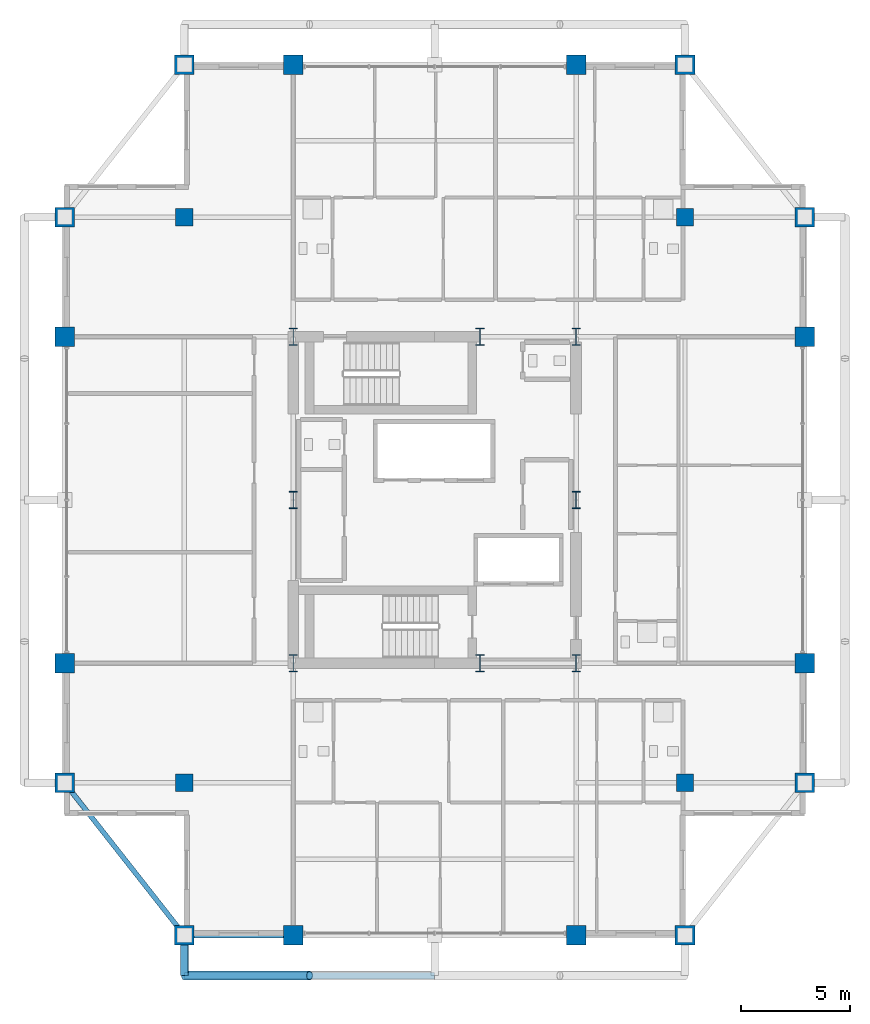
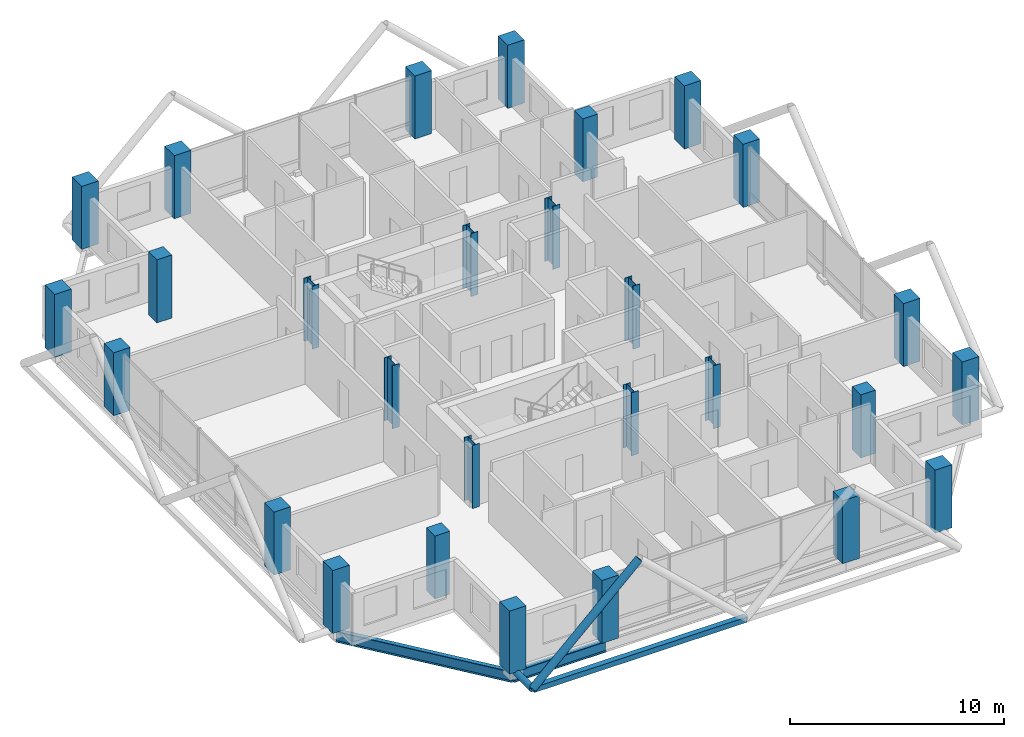
# One storey, part 1 of 24: 28 columns, 3 members, 2 beams.
"""IFC4 building model written with IfcOpenShell, lengths in metres."""

from ifc_helpers import new_model, si_unit, direction, frame, origin, origin_2d, place, context, subcontext, project, spatial, rectangle, hollow_rectangle, hollow_circle, i_section, extrude, material, material_profile, profile_set, type_object, element, save


model = new_model("IFC4")

# Units and contexts
model_context = context("Model", 3, precision=1e-05, world=origin(), true_north=direction((0.0, 1.0)))
body_context = subcontext(model_context, "Body", "Model", "MODEL_VIEW")
ifc_project = project(units=[si_unit("LENGTHUNIT", "METRE"), si_unit("AREAUNIT", "SQUARE_METRE"), si_unit("VOLUMEUNIT", "CUBIC_METRE"), si_unit("PLANEANGLEUNIT", "RADIAN"), si_unit("MASSUNIT", "GRAM", prefix="KILO")], contexts=[model_context])

# Site, building, storey
site_placement = place(None, origin())
site = spatial("IfcSite", under=ifc_project, at=site_placement, CompositionType="ELEMENT")
building_placement = place(site_placement, origin())
building = spatial("IfcBuilding", under=site, at=building_placement, Name="Barlavira Tower and Art Museum", CompositionType="ELEMENT")
storey_placement = place(building_placement, frame((0.0, 0.0, 240.300048828125)))
storey = spatial("IfcBuildingStorey", under=building, at=storey_placement, Name="L62", CompositionType="ELEMENT", Elevation=240.300048828125)

# Columns
ifc_material_1 = material(Name="Steel S355", Category="steel")
ifc_material_profile_1 = material_profile(ifc_material_1, i_section(OverallWidth=0.382080078125, OverallDepth=0.785888671875, WebThickness=0.02001953125, FlangeThickness=0.032958984375, at=origin_2d()), Name="W760x314.0")
ifc_profile_set_1 = profile_set([ifc_material_profile_1], Name="Steel S355")
column_type_1 = type_object("IfcColumnType", Name="Core Composite Column W760x314 Steel S355", PredefinedType="COLUMN", material=ifc_profile_set_1)
for number, where, z_axis, x_axis, name in (
    (1, (-6.5, -7.5, 0.0), (0.0, 0.0, 1.0), (1.0, 0.0, 0.0), "L62 Column CC-L62-C1"),
    (2, (2.080078125, -7.5, 0.0), (0.0, 0.0, 1.0), (1.0, 0.0, 0.0), "L62 Column CC-L62-C2"),
    (3, (6.5, -7.5, 0.0), (0.0, 0.0, 1.0), (1.0, 0.0, 0.0), "L62 Column CC-L62-C3"),
    (4, (-6.5, 0.0, 0.0), (0.0, 0.0, 1.0), (1.0, 0.0, 0.0), "L62 Column CC-L62-C4"),
    (5, (6.5, 0.0, 0.0), (0.0, 0.0, 1.0), (1.0, 0.0, 0.0), "L62 Column CC-L62-C5"),
    (6, (-6.5, 7.5, 0.0), (0.0, 0.0, 1.0), (1.0, 0.0, 0.0), "L62 Column CC-L62-C6"),
    (7, (2.080078125, 7.5, 0.0), (0.0, 0.0, 1.0), (1.0, 0.0, 0.0), "L62 Column CC-L62-C7"),
    (8, (6.5, 7.5, 0.0), (0.0, 0.0, 1.0), (1.0, 0.0, 0.0), "L62 Column CC-L62-C8"),
):
    element("IfcColumn", number, at=place(storey_placement, frame(where, z_axis=z_axis, x_axis=x_axis)), inside=storey, type_object=column_type_1, Name=name, PredefinedType="COLUMN", context=body_context, shape_type="SweptSolid", body=[
        extrude(i_section(OverallWidth=0.382080078125, OverallDepth=0.785888671875, WebThickness=0.02001953125, FlangeThickness=0.032958984375, at=origin_2d()), origin(), (0.0, 0.0, 1.0), 3.599853515625),
    ])
ifc_material_2 = material(Name="Concrete C50", Category="concrete")
ifc_material_profile_2 = material_profile(ifc_material_2, rectangle(XDim=0.89990234375, YDim=0.89990234375, at=origin_2d()), Name="RC-COL 900x900")
ifc_profile_set_2 = profile_set([ifc_material_profile_2], Name="Concrete C50")
column_type_2 = type_object("IfcColumnType", Name="Perimeter Mega Column 900x900 Concrete C50", PredefinedType="USERDEFINED", material=ifc_profile_set_2)
for number, where, z_axis, x_axis, name in (
    (9, (-11.5, -20.0, 0.0), (0.0, 0.0, 1.0), (1.0, 0.0, 0.0), "L62 Column MC-L62-M01"),
    (10, (-6.5, -20.0, 0.0), (0.0, 0.0, 1.0), (1.0, 0.0, 0.0), "L62 Column MC-L62-M02"),
    (11, (6.5, -20.0, 0.0), (0.0, 0.0, 1.0), (1.0, 0.0, 0.0), "L62 Column MC-L62-M03"),
    (12, (11.5, -20.0, 0.0), (0.0, 0.0, 1.0), (1.0, 0.0, 0.0), "L62 Column MC-L62-M04"),
    (13, (17.0, -13.0, 0.0), (0.0, 0.0, 1.0), (1.0, 0.0, 0.0), "L62 Column MC-L62-M05"),
    (14, (17.0, -7.5, 0.0), (0.0, 0.0, 1.0), (1.0, 0.0, 0.0), "L62 Column MC-L62-M06"),
    (15, (17.0, 7.5, 0.0), (0.0, 0.0, 1.0), (1.0, 0.0, 0.0), "L62 Column MC-L62-M07"),
    (16, (17.0, 13.0, 0.0), (0.0, 0.0, 1.0), (1.0, 0.0, 0.0), "L62 Column MC-L62-M08"),
    (17, (11.5, 20.0, 0.0), (0.0, 0.0, 1.0), (1.0, 0.0, 0.0), "L62 Column MC-L62-M09"),
    (18, (6.5, 20.0, 0.0), (0.0, 0.0, 1.0), (1.0, 0.0, 0.0), "L62 Column MC-L62-M10"),
    (19, (-6.5, 20.0, 0.0), (0.0, 0.0, 1.0), (1.0, 0.0, 0.0), "L62 Column MC-L62-M11"),
    (20, (-11.5, 20.0, 0.0), (0.0, 0.0, 1.0), (1.0, 0.0, 0.0), "L62 Column MC-L62-M12"),
    (21, (-17.0, 13.0, 0.0), (0.0, 0.0, 1.0), (1.0, 0.0, 0.0), "L62 Column MC-L62-M13"),
    (22, (-17.0, 7.5, 0.0), (0.0, 0.0, 1.0), (1.0, 0.0, 0.0), "L62 Column MC-L62-M14"),
    (23, (-17.0, -7.5, 0.0), (0.0, 0.0, 1.0), (1.0, 0.0, 0.0), "L62 Column MC-L62-M15"),
    (24, (-17.0, -13.0, 0.0), (0.0, 0.0, 1.0), (1.0, 0.0, 0.0), "L62 Column MC-L62-M16"),
):
    element("IfcColumn", number, at=place(storey_placement, frame(where, z_axis=z_axis, x_axis=x_axis)), inside=storey, type_object=column_type_2, Name=name, ObjectType="MEGA COLUMN", PredefinedType="USERDEFINED", context=body_context, shape_type="SweptSolid", body=[
        extrude(rectangle(XDim=0.89990234375, YDim=0.89990234375, at=origin_2d()), origin(), (0.0, 0.0, 1.0), 3.599853515625),
    ])
ifc_material_profile_3 = material_profile(ifc_material_2, rectangle(XDim=0.800048828125, YDim=0.800048828125, at=origin_2d()), Name="RC-COL 800x800")
ifc_profile_set_3 = profile_set([ifc_material_profile_3], Name="Concrete C50")
column_type_3 = type_object("IfcColumnType", Name="Podium Frame Column 800x800 Concrete C50", PredefinedType="COLUMN", material=ifc_profile_set_3)
for number, where, z_axis, x_axis, name in (
    (25, (-11.5, -13.0, 0.0), (0.0, 0.0, 1.0), (1.0, 0.0, 0.0), "L62 Column CI-L62-I1"),
    (26, (11.5, -13.0, 0.0), (0.0, 0.0, 1.0), (1.0, 0.0, 0.0), "L62 Column CI-L62-I2"),
    (27, (-11.5, 13.0, 0.0), (0.0, 0.0, 1.0), (1.0, 0.0, 0.0), "L62 Column CI-L62-I3"),
    (28, (11.5, 13.0, 0.0), (0.0, 0.0, 1.0), (1.0, 0.0, 0.0), "L62 Column CI-L62-I4"),
):
    element("IfcColumn", number, at=place(storey_placement, frame(where, z_axis=z_axis, x_axis=x_axis)), inside=storey, type_object=column_type_3, Name=name, PredefinedType="COLUMN", context=body_context, shape_type="SweptSolid", body=[
        extrude(rectangle(XDim=0.800048828125, YDim=0.800048828125, at=origin_2d()), origin(), (0.0, 0.0, 1.0), 3.599853515625),
    ])

# Members
ifc_material_profile_4 = material_profile(ifc_material_1, hollow_circle(Radius=0.203125, WallThickness=0.01611328125, at=origin_2d()), Name="CHS 406.4x16.0")
ifc_profile_set_4 = profile_set([ifc_material_profile_4], Name="Steel S355")
member_type_1 = type_object("IfcMemberType", Name="Pale-Metal Exoskeleton Diagrid Tube CHS 406x16 Steel S355", PredefinedType="BRACE", material=ifc_profile_set_4)
member_1_placement = place(storey_placement, frame((-11.5, -21.85009765625, -0.1201171875), z_axis=(0.728934650808, 0.0, 0.684583285548), x_axis=(0.0, 1.0, 0.0)))
element("IfcMember", 29, at=member_1_placement, inside=storey, type_object=member_type_1, Name="L62 Exoskeleton Diagrid Tube S", PredefinedType="BRACE", context=body_context, shape_type="SweptSolid", body=[
    extrude(hollow_circle(Radius=0.203125, WallThickness=0.01611328125, at=origin_2d()), origin(), (0.0, 0.0, 1.0), 7.88818359375),
])
ifc_material_profile_5 = material_profile(ifc_material_1, hollow_circle(Radius=0.177734375, WallThickness=0.01611328125, at=origin_2d()), Name="CHS 355.6x16.0")
ifc_profile_set_5 = profile_set([ifc_material_profile_5], Name="Steel S355")
member_type_2 = type_object("IfcMemberType", Name="Pale-Metal Exoskeleton Tie Strut CHS 356x16 Steel S355", PredefinedType="STRUT", material=ifc_profile_set_5)
member_2_placement = place(storey_placement, frame((-11.5, -21.85009765625, -0.1201171875), z_axis=(0.0, 1.0, 0.0), x_axis=(-1.0, 0.0, 0.0)))
element("IfcMember", 30, at=member_2_placement, inside=storey, type_object=member_type_2, Name="L62 Exoskeleton Tie Strut S1", PredefinedType="STRUT", context=body_context, shape_type="SweptSolid", body=[
    extrude(hollow_circle(Radius=0.177734375, WallThickness=0.01611328125, at=origin_2d()), origin(), (0.0, 0.0, 1.0), 1.85009765625),
])
ifc_material_profile_6 = material_profile(ifc_material_1, hollow_rectangle(XDim=0.300048828125, YDim=0.300048828125, WallThickness=0.01611328125, at=origin_2d()), Name="SHS 300x300x16.0")
ifc_profile_set_6 = profile_set([ifc_material_profile_6], Name="Steel S355")
member_type_3 = type_object("IfcMemberType", Name="Pale-Metal Upper Ring Strut SHS 300x300x16 Steel S355", PredefinedType="STRUT", material=ifc_profile_set_6)
member_3_placement = place(storey_placement, frame((-11.5, -21.85009765625, -0.1201171875), z_axis=(1.0, 0.0, 0.0), x_axis=(0.0, 1.0, 0.0)))
element("IfcMember", 31, at=member_3_placement, inside=storey, type_object=member_type_3, Name="L62 Exoskeleton Ring Strut S", PredefinedType="STRUT", context=body_context, shape_type="SweptSolid", body=[
    extrude(hollow_rectangle(XDim=0.300048828125, YDim=0.300048828125, WallThickness=0.01611328125, at=origin_2d()), origin(), (0.0, 0.0, 1.0), 11.5),
])

# Beams
ifc_material_profile_7 = material_profile(ifc_material_1, i_section(OverallWidth=0.22998046875, OverallDepth=0.616943359375, WebThickness=0.01318359375, FlangeThickness=0.022216796875, at=origin_2d()), Name="W610x140.0")
ifc_profile_set_7 = profile_set([ifc_material_profile_7], Name="Steel S355")
beam_type = type_object("IfcBeamType", Name="Upper Shaft Spandrel Edge Beam W610x140 Steel S355", PredefinedType="SPANDREL", material=ifc_profile_set_7)
beam_1_placement = place(storey_placement, frame((-11.5, -20.0, -0.528564453125), z_axis=(1.0, 0.0, 0.0), x_axis=(0.0, 1.0, 0.0)))
element("IfcBeam", 32, at=beam_1_placement, inside=storey, type_object=beam_type, Name="L62 Spandrel 1", PredefinedType="SPANDREL", context=body_context, shape_type="SweptSolid", body=[
    extrude(i_section(OverallWidth=0.22998046875, OverallDepth=0.616943359375, WebThickness=0.01318359375, FlangeThickness=0.022216796875, at=origin_2d()), origin(), (0.0, 0.0, 1.0), 5.0),
])
beam_2_placement = place(storey_placement, frame((-17.0, -13.0, -0.528564453125), z_axis=(0.617821551932, -0.786318338822, 0.0), x_axis=(0.786318338822, 0.617821551932, 0.0)))
element("IfcBeam", 33, at=beam_2_placement, inside=storey, type_object=beam_type, Name="L62 Spandrel 16", PredefinedType="SPANDREL", context=body_context, shape_type="SweptSolid", body=[
    extrude(i_section(OverallWidth=0.22998046875, OverallDepth=0.616943359375, WebThickness=0.01318359375, FlangeThickness=0.022216796875, at=origin_2d()), origin(), (0.0, 0.0, 1.0), 8.90234375),
])

save(model, "model.ifc")
